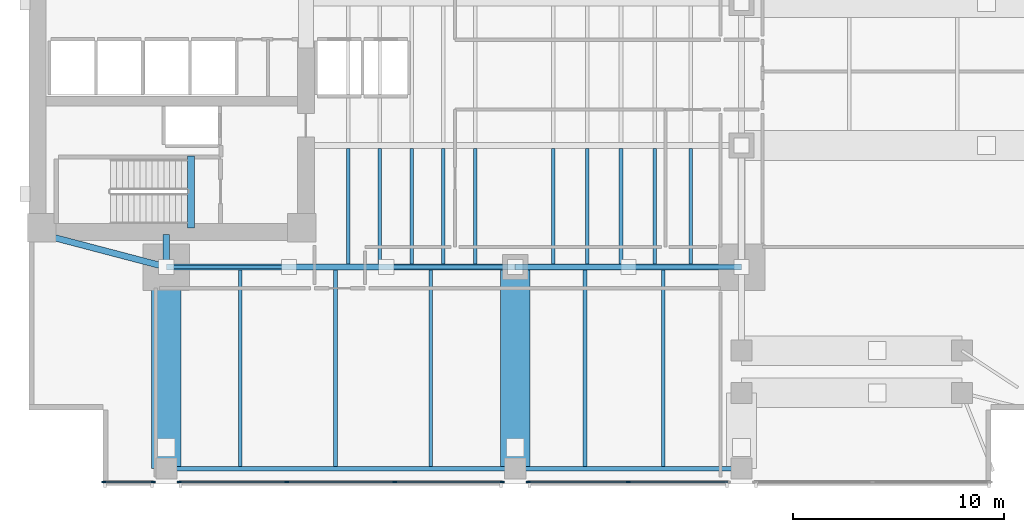
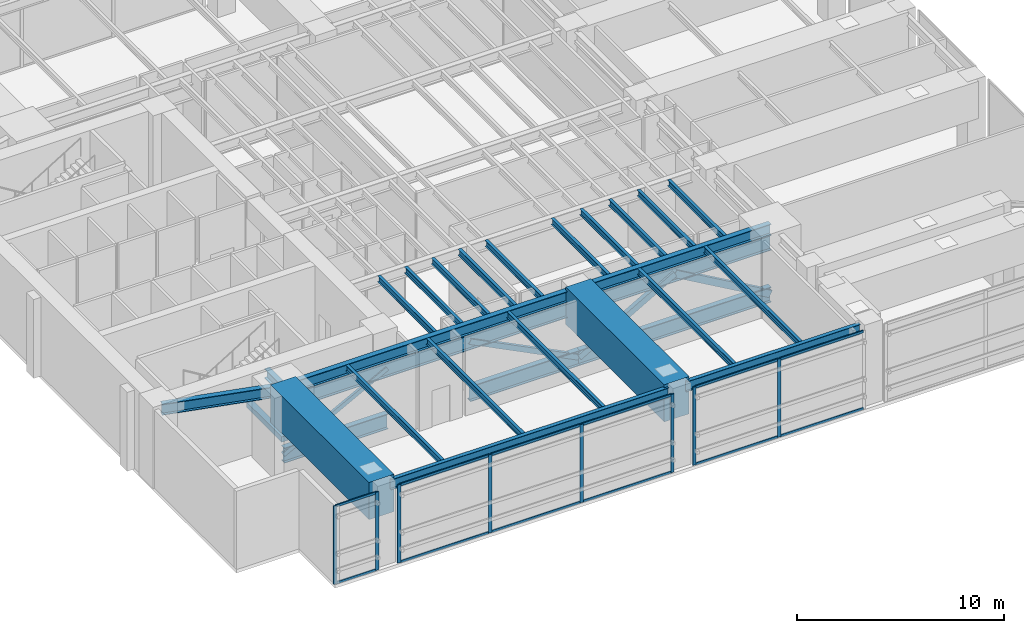
# One storey, part 2 of 14: 29 members, 24 beams, 3 elements without a shape of their own.
"""IFC4 building model written with IfcOpenShell, lengths in metres."""

from ifc_helpers import new_model, si_unit, direction, frame, origin, origin_2d, place, context, subcontext, project, spatial, rectangle, hollow_rectangle, i_section, extrude, material, layer, layer_set, material_profile, profile_set, type_object, element, aggregate, save


model = new_model("IFC4")

# Units and contexts
model_context = context("Model", 3, precision=1e-05, world=origin(), true_north=direction((0.0, 1.0)))
body_context = subcontext(model_context, "Body", "Model", "MODEL_VIEW")
ifc_project = project(units=[si_unit("LENGTHUNIT", "METRE"), si_unit("AREAUNIT", "SQUARE_METRE"), si_unit("VOLUMEUNIT", "CUBIC_METRE"), si_unit("PLANEANGLEUNIT", "RADIAN"), si_unit("MASSUNIT", "GRAM", prefix="KILO")], contexts=[model_context])

# Site, building, storey
site_placement = place(None, origin())
site = spatial("IfcSite", under=ifc_project, at=site_placement, CompositionType="ELEMENT")
building_placement = place(site_placement, origin())
building = spatial("IfcBuilding", under=site, at=building_placement, Name="Kinhvarn Gate Tower", CompositionType="ELEMENT")
storey_placement = place(building_placement, frame((0.0, 0.0, 93.050048828125)))
storey = spatial("IfcBuildingStorey", under=building, at=storey_placement, Name="L24", CompositionType="ELEMENT", Elevation=93.050048828125)

# Beams
ifc_material_1 = material(Name="Concrete C50/60", Category="concrete")
ifc_material_profile_1 = material_profile(ifc_material_1, rectangle(XDim=0.340087890625, YDim=0.320068359375, at=origin_2d()), Name="RC 340x320")
ifc_profile_set_1 = profile_set([ifc_material_profile_1], Name="Concrete C50/60")
beam_type_1 = type_object("IfcBeamType", Name="BM-LND-500", PredefinedType="BEAM", material=ifc_profile_set_1)
beam_1_placement = place(storey_placement, frame((12.1650390625, 14.60009765625, -0.16015625), z_axis=(0.0, 1.0, 0.0), x_axis=(-1.0, 0.0, 0.0)))
element("IfcBeam", 1, at=beam_1_placement, inside=storey, type_object=beam_type_1, Name="Stair ST1 Landing Nosing Beam (L24)", PredefinedType="BEAM", context=body_context, shape_type="SweptSolid", body=[
    extrude(rectangle(XDim=0.340087890625, YDim=0.320068359375, at=origin_2d()), origin(), (0.0, 0.0, 1.0), 3.39990234375),
])
ifc_material_2 = material(Name="Concrete C60/75", Category="concrete")
ifc_material_profile_2 = material_profile(ifc_material_2, rectangle(XDim=1.39990234375, YDim=2.199951171875, at=origin_2d()), Name="RC 1400x2200")
ifc_profile_set_2 = profile_set([ifc_material_profile_2], Name="Concrete C60/75")
beam_type_2 = type_object("IfcBeamType", Name="BM-TG-2200", PredefinedType="BEAM", material=ifc_profile_set_2)
for number, where, z_axis, x_axis, name in (
    (2, (11.0, 3.219970703125, 3.699951171875), (0.0, 1.0, 0.0), (-1.0, 0.0, 0.0), "Setback Transfer Girder TG-02-L25-CS-0"),
    (3, (27.5, 3.219970703125, 3.699951171875), (0.0, 1.0, 0.0), (-1.0, 0.0, 0.0), "Setback Transfer Girder TG-02-L25-CS-1"),
):
    element("IfcBeam", number, at=place(storey_placement, frame(where, z_axis=z_axis, x_axis=x_axis)), inside=storey, type_object=beam_type_2, Name=name, PredefinedType="BEAM", context=body_context, shape_type="SweptSolid", body=[
        extrude(rectangle(XDim=1.39990234375, YDim=2.199951171875, at=origin_2d()), origin(), (0.0, 0.0, 1.0), 9.530029296875),
    ])

# Curtain wall, members
ifc_material_3 = material(Name="Anodised aluminium AW-6063", Category="aluminium")
ifc_layer = layer(ifc_material_3, 0.179931640625)
ifc_layer_set = layer_set([ifc_layer], Name="Anodised aluminium AW-6063")
curtain_wall_type = type_object("IfcCurtainWallType", Name="CW-SYS-2", PredefinedType="NOTDEFINED", material=ifc_layer_set)
curtain_wall_1_placement = place(storey_placement, origin())
curtain_wall_1 = element("IfcCurtainWall", 4, at=curtain_wall_1_placement, inside=storey, type_object=curtain_wall_type, Name="Curtain Wall CW2 (L24)", PredefinedType="NOTDEFINED")
ifc_material_profile_3 = material_profile(ifc_material_3, rectangle(XDim=0.070068359375, YDim=0.179931640625, at=origin_2d()), Name="ALU 70x180")
ifc_profile_set_3 = profile_set([ifc_material_profile_3], Name="Anodised aluminium AW-6063")
member_type_1 = type_object("IfcMemberType", Name="CW-MUL-180", PredefinedType="MULLION", material=ifc_profile_set_3)
member_1_placement = place(storey_placement, frame((8.034912109375, 2.590087890625, 0.0), z_axis=(0.0, 0.0, 1.0), x_axis=(0.0, 1.0, 0.0)))
member_1 = element("IfcMember", 5, at=member_1_placement, type_object=member_type_1, Name="CW2 mullion 1", PredefinedType="MULLION", context=body_context, shape_type="SweptSolid", body=[
    extrude(rectangle(XDim=0.070068359375, YDim=0.179931640625, at=origin_2d()), origin(), (0.0, 0.0, 1.0), 4.619873046875),
])
member_2_placement = place(storey_placement, frame((10.385009765625, 2.590087890625, 0.0), z_axis=(0.0, 0.0, 1.0), x_axis=(0.0, 1.0, 0.0)))
member_2 = element("IfcMember", 6, at=member_2_placement, type_object=member_type_1, Name="CW2 mullion 2", PredefinedType="MULLION", context=body_context, shape_type="SweptSolid", body=[
    extrude(rectangle(XDim=0.070068359375, YDim=0.179931640625, at=origin_2d()), origin(), (0.0, 0.0, 1.0), 4.619873046875),
])

curtain_wall_2_placement = place(storey_placement, origin())
curtain_wall_2 = element("IfcCurtainWall", 7, at=curtain_wall_2_placement, inside=storey, type_object=curtain_wall_type, Name="Curtain Wall CW2 (L24)", PredefinedType="NOTDEFINED")
member_3_placement = place(storey_placement, frame((11.614990234375, 2.590087890625, 0.0), z_axis=(0.0, 0.0, 1.0), x_axis=(0.0, 1.0, 0.0)))
member_3 = element("IfcMember", 8, at=member_3_placement, type_object=member_type_1, Name="CW2 mullion 1", PredefinedType="MULLION", context=body_context, shape_type="SweptSolid", body=[
    extrude(rectangle(XDim=0.070068359375, YDim=0.179931640625, at=origin_2d()), origin(), (0.0, 0.0, 1.0), 4.619873046875),
])
member_4_placement = place(storey_placement, frame((16.693359375, 2.590087890625, 0.0), z_axis=(0.0, 0.0, 1.0), x_axis=(0.0, 1.0, 0.0)))
member_4 = element("IfcMember", 9, at=member_4_placement, type_object=member_type_1, Name="CW2 mullion 2", PredefinedType="MULLION", context=body_context, shape_type="SweptSolid", body=[
    extrude(rectangle(XDim=0.070068359375, YDim=0.179931640625, at=origin_2d()), origin(), (0.0, 0.0, 1.0), 4.619873046875),
])
member_5_placement = place(storey_placement, frame((21.806640625, 2.590087890625, 0.0), z_axis=(0.0, 0.0, 1.0), x_axis=(0.0, 1.0, 0.0)))
member_5 = element("IfcMember", 10, at=member_5_placement, type_object=member_type_1, Name="CW2 mullion 3", PredefinedType="MULLION", context=body_context, shape_type="SweptSolid", body=[
    extrude(rectangle(XDim=0.070068359375, YDim=0.179931640625, at=origin_2d()), origin(), (0.0, 0.0, 1.0), 4.619873046875),
])
member_6_placement = place(storey_placement, frame((26.885009765625, 2.590087890625, 0.0), z_axis=(0.0, 0.0, 1.0), x_axis=(0.0, 1.0, 0.0)))
member_6 = element("IfcMember", 11, at=member_6_placement, type_object=member_type_1, Name="CW2 mullion 4", PredefinedType="MULLION", context=body_context, shape_type="SweptSolid", body=[
    extrude(rectangle(XDim=0.070068359375, YDim=0.179931640625, at=origin_2d()), origin(), (0.0, 0.0, 1.0), 4.619873046875),
])

curtain_wall_3_placement = place(storey_placement, origin())
curtain_wall_3 = element("IfcCurtainWall", 12, at=curtain_wall_3_placement, inside=storey, type_object=curtain_wall_type, Name="Curtain Wall CW2 (L24)", PredefinedType="NOTDEFINED")
member_7_placement = place(storey_placement, frame((28.114990234375, 2.590087890625, 0.0), z_axis=(0.0, 0.0, 1.0), x_axis=(0.0, 1.0, 0.0)))
member_7 = element("IfcMember", 13, at=member_7_placement, type_object=member_type_1, Name="CW2 mullion 1", PredefinedType="MULLION", context=body_context, shape_type="SweptSolid", body=[
    extrude(rectangle(XDim=0.070068359375, YDim=0.179931640625, at=origin_2d()), origin(), (0.0, 0.0, 1.0), 4.619873046875),
])
member_8_placement = place(storey_placement, frame((32.85009765625, 2.590087890625, 0.0), z_axis=(0.0, 0.0, 1.0), x_axis=(0.0, 1.0, 0.0)))
member_8 = element("IfcMember", 14, at=member_8_placement, type_object=member_type_1, Name="CW2 mullion 2", PredefinedType="MULLION", context=body_context, shape_type="SweptSolid", body=[
    extrude(rectangle(XDim=0.070068359375, YDim=0.179931640625, at=origin_2d()), origin(), (0.0, 0.0, 1.0), 4.619873046875),
])

# Member
ifc_material_profile_4 = material_profile(ifc_material_3, rectangle(XDim=0.070068359375, YDim=0.139892578125, at=origin_2d()), Name="ALU 70x140")
ifc_profile_set_4 = profile_set([ifc_material_profile_4], Name="Anodised aluminium AW-6063")
member_type_2 = type_object("IfcMemberType", Name="CW-TRN-140", PredefinedType="USERDEFINED", material=ifc_profile_set_4)
member_9_placement = place(storey_placement, frame((8.070068359375, 2.590087890625, 0.034912109375), z_axis=(1.0, 0.0, 0.0), x_axis=(0.0, 1.0, 0.0)))
member_9 = element("IfcMember", 15, at=member_9_placement, type_object=member_type_2, Name="CW2 transom 1.1", ObjectType="TRANSOM", PredefinedType="USERDEFINED", context=body_context, shape_type="SweptSolid", body=[
    extrude(rectangle(XDim=0.070068359375, YDim=0.139892578125, at=origin_2d()), origin(), (0.0, 0.0, 1.0), 2.280029296875),
])

member_10_placement = place(storey_placement, frame((8.070068359375, 2.590087890625, 4.5849609375), z_axis=(1.0, 0.0, 0.0), x_axis=(0.0, 1.0, 0.0)))
member_10 = element("IfcMember", 16, at=member_10_placement, type_object=member_type_2, Name="CW2 transom 1.2", ObjectType="TRANSOM", PredefinedType="USERDEFINED", context=body_context, shape_type="SweptSolid", body=[
    extrude(rectangle(XDim=0.070068359375, YDim=0.139892578125, at=origin_2d()), origin(), (0.0, 0.0, 1.0), 2.280029296875),
])

aggregate(curtain_wall_1, [member_1, member_2, member_9, member_10])

member_11_placement = place(storey_placement, frame((11.64990234375, 2.590087890625, 0.034912109375), z_axis=(1.0, 0.0, 0.0), x_axis=(0.0, 1.0, 0.0)))
member_11 = element("IfcMember", 17, at=member_11_placement, type_object=member_type_2, Name="CW2 transom 1.1", ObjectType="TRANSOM", PredefinedType="USERDEFINED", context=body_context, shape_type="SweptSolid", body=[
    extrude(rectangle(XDim=0.070068359375, YDim=0.139892578125, at=origin_2d()), origin(), (0.0, 0.0, 1.0), 5.008544921875),
])

member_12_placement = place(storey_placement, frame((11.64990234375, 2.590087890625, 4.5849609375), z_axis=(1.0, 0.0, 0.0), x_axis=(0.0, 1.0, 0.0)))
member_12 = element("IfcMember", 18, at=member_12_placement, type_object=member_type_2, Name="CW2 transom 1.2", ObjectType="TRANSOM", PredefinedType="USERDEFINED", context=body_context, shape_type="SweptSolid", body=[
    extrude(rectangle(XDim=0.070068359375, YDim=0.139892578125, at=origin_2d()), origin(), (0.0, 0.0, 1.0), 5.008544921875),
])

member_13_placement = place(storey_placement, frame((16.728271484375, 2.590087890625, 0.034912109375), z_axis=(1.0, 0.0, 0.0), x_axis=(0.0, 1.0, 0.0)))
member_13 = element("IfcMember", 19, at=member_13_placement, type_object=member_type_2, Name="CW2 transom 2.1", ObjectType="TRANSOM", PredefinedType="USERDEFINED", context=body_context, shape_type="SweptSolid", body=[
    extrude(rectangle(XDim=0.070068359375, YDim=0.139892578125, at=origin_2d()), origin(), (0.0, 0.0, 1.0), 5.04345703125),
])

member_14_placement = place(storey_placement, frame((16.728271484375, 2.590087890625, 4.5849609375), z_axis=(1.0, 0.0, 0.0), x_axis=(0.0, 1.0, 0.0)))
member_14 = element("IfcMember", 20, at=member_14_placement, type_object=member_type_2, Name="CW2 transom 2.2", ObjectType="TRANSOM", PredefinedType="USERDEFINED", context=body_context, shape_type="SweptSolid", body=[
    extrude(rectangle(XDim=0.070068359375, YDim=0.139892578125, at=origin_2d()), origin(), (0.0, 0.0, 1.0), 5.04345703125),
])

member_15_placement = place(storey_placement, frame((21.841552734375, 2.590087890625, 0.034912109375), z_axis=(1.0, 0.0, 0.0), x_axis=(0.0, 1.0, 0.0)))
member_15 = element("IfcMember", 21, at=member_15_placement, type_object=member_type_2, Name="CW2 transom 3.1", ObjectType="TRANSOM", PredefinedType="USERDEFINED", context=body_context, shape_type="SweptSolid", body=[
    extrude(rectangle(XDim=0.070068359375, YDim=0.139892578125, at=origin_2d()), origin(), (0.0, 0.0, 1.0), 5.008544921875),
])

member_16_placement = place(storey_placement, frame((21.841552734375, 2.590087890625, 4.5849609375), z_axis=(1.0, 0.0, 0.0), x_axis=(0.0, 1.0, 0.0)))
member_16 = element("IfcMember", 22, at=member_16_placement, type_object=member_type_2, Name="CW2 transom 3.2", ObjectType="TRANSOM", PredefinedType="USERDEFINED", context=body_context, shape_type="SweptSolid", body=[
    extrude(rectangle(XDim=0.070068359375, YDim=0.139892578125, at=origin_2d()), origin(), (0.0, 0.0, 1.0), 5.008544921875),
])

aggregate(curtain_wall_2, [member_3, member_4, member_5, member_6, member_11, member_12, member_13, member_14, member_15, member_16])

member_17_placement = place(storey_placement, frame((28.14990234375, 2.590087890625, 0.034912109375), z_axis=(1.0, 0.0, 0.0), x_axis=(0.0, 1.0, 0.0)))
member_17 = element("IfcMember", 23, at=member_17_placement, type_object=member_type_2, Name="CW2 transom 1.1", ObjectType="TRANSOM", PredefinedType="USERDEFINED", context=body_context, shape_type="SweptSolid", body=[
    extrude(rectangle(XDim=0.070068359375, YDim=0.139892578125, at=origin_2d()), origin(), (0.0, 0.0, 1.0), 4.6650390625),
])

member_18_placement = place(storey_placement, frame((28.14990234375, 2.590087890625, 4.5849609375), z_axis=(1.0, 0.0, 0.0), x_axis=(0.0, 1.0, 0.0)))
member_18 = element("IfcMember", 24, at=member_18_placement, type_object=member_type_2, Name="CW2 transom 1.2", ObjectType="TRANSOM", PredefinedType="USERDEFINED", context=body_context, shape_type="SweptSolid", body=[
    extrude(rectangle(XDim=0.070068359375, YDim=0.139892578125, at=origin_2d()), origin(), (0.0, 0.0, 1.0), 4.6650390625),
])

member_19_placement = place(storey_placement, frame((32.885009765625, 2.590087890625, 0.034912109375), z_axis=(1.0, 0.0, 0.0), x_axis=(0.0, 1.0, 0.0)))
member_19 = element("IfcMember", 25, at=member_19_placement, type_object=member_type_2, Name="CW2 transom 2.1", ObjectType="TRANSOM", PredefinedType="USERDEFINED", context=body_context, shape_type="SweptSolid", body=[
    extrude(rectangle(XDim=0.070068359375, YDim=0.139892578125, at=origin_2d()), origin(), (0.0, 0.0, 1.0), 4.6650390625),
])

member_20_placement = place(storey_placement, frame((32.885009765625, 2.590087890625, 4.5849609375), z_axis=(1.0, 0.0, 0.0), x_axis=(0.0, 1.0, 0.0)))
member_20 = element("IfcMember", 26, at=member_20_placement, type_object=member_type_2, Name="CW2 transom 2.2", ObjectType="TRANSOM", PredefinedType="USERDEFINED", context=body_context, shape_type="SweptSolid", body=[
    extrude(rectangle(XDim=0.070068359375, YDim=0.139892578125, at=origin_2d()), origin(), (0.0, 0.0, 1.0), 4.6650390625),
])

aggregate(curtain_wall_3, [member_7, member_8, member_17, member_18, member_19, member_20])

# Members
ifc_material_4 = material(Name="Steel S355", Category="steel")
ifc_material_profile_5 = material_profile(ifc_material_4, hollow_rectangle(XDim=0.14990234375, YDim=0.25, WallThickness=0.011962890625, at=origin_2d()), Name="RHS 250x150x12")
ifc_profile_set_5 = profile_set([ifc_material_profile_5], Name="Steel S355")
member_type_3 = type_object("IfcMemberType", Name="MBR-RHS250x150x12", PredefinedType="BRACE", material=ifc_profile_set_5)
member_21_placement = place(storey_placement, frame((11.0, 12.75, 0.449951171875), z_axis=(0.883822301233, 0.0, 0.467822765417), x_axis=(0.0, 1.0, 0.0)))
element("IfcMember", 27, at=member_21_placement, inside=storey, type_object=member_type_3, Name="Outrigger Truss Diagonal BR-01 (RHS 250x150x12)", PredefinedType="BRACE", context=body_context, shape_type="SweptSolid", body=[
    extrude(hollow_rectangle(XDim=0.14990234375, YDim=0.25, WallThickness=0.011962890625, at=origin_2d()), origin(), (0.0, 0.0, 1.0), 6.5625),
])
ifc_material_profile_6 = material_profile(ifc_material_4, hollow_rectangle(XDim=0.199951171875, YDim=0.300048828125, WallThickness=0.011962890625, at=origin_2d()), Name="RHS 300x200x12")
ifc_profile_set_6 = profile_set([ifc_material_profile_6], Name="Steel S355")
member_type_4 = type_object("IfcMemberType", Name="MBR-RHS300x200x12", PredefinedType="BRACE", material=ifc_profile_set_6)
member_22_placement = place(storey_placement, frame((21.39990234375, 12.75, 3.52001953125), z_axis=(0.893251513764, 0.0, -0.449557263491), x_axis=(0.0, 1.0, 0.0)))
element("IfcMember", 28, at=member_22_placement, inside=storey, type_object=member_type_4, Name="Outrigger Truss Diagonal BR-02 (RHS 300x200x12)", PredefinedType="BRACE", context=body_context, shape_type="SweptSolid", body=[
    extrude(hollow_rectangle(XDim=0.199951171875, YDim=0.300048828125, WallThickness=0.011962890625, at=origin_2d()), origin(), (0.0, 0.0, 1.0), 6.8291015625),
])
ifc_material_profile_7 = material_profile(ifc_material_4, hollow_rectangle(XDim=0.25, YDim=0.35009765625, WallThickness=0.01611328125, at=origin_2d()), Name="RHS 350x250x16")
ifc_profile_set_7 = profile_set([ifc_material_profile_7], Name="Steel S355")
member_type_5 = type_object("IfcMemberType", Name="MBR-RHS350x250x16", PredefinedType="BRACE", material=ifc_profile_set_7)
member_23_placement = place(storey_placement, frame((27.5, 12.75, 0.449951171875), z_axis=(0.86734296071, 0.0, 0.497710948751), x_axis=(0.0, 1.0, 0.0)))
element("IfcMember", 29, at=member_23_placement, inside=storey, type_object=member_type_5, Name="Outrigger Truss Diagonal BR-03 (RHS 350x250x16)", PredefinedType="BRACE", context=body_context, shape_type="SweptSolid", body=[
    extrude(hollow_rectangle(XDim=0.25, YDim=0.35009765625, WallThickness=0.01611328125, at=origin_2d()), origin(), (0.0, 0.0, 1.0), 6.16845703125),
])
ifc_material_profile_8 = material_profile(ifc_material_4, hollow_rectangle(XDim=0.199951171875, YDim=0.39990234375, WallThickness=0.01611328125, at=origin_2d()), Name="RHS 400x200x16")
ifc_profile_set_8 = profile_set([ifc_material_profile_8], Name="Steel S355")
member_type_6 = type_object("IfcMemberType", Name="MBR-RHS400x200x16", PredefinedType="BRACE", material=ifc_profile_set_8)
member_24_placement = place(storey_placement, frame((32.85009765625, 12.75, 3.52001953125), z_axis=(0.867333155747, 0.0, -0.497728035117), x_axis=(0.0, 1.0, 0.0)))
element("IfcMember", 30, at=member_24_placement, inside=storey, type_object=member_type_6, Name="Outrigger Truss Diagonal BR-04 (RHS 400x200x16)", PredefinedType="BRACE", context=body_context, shape_type="SweptSolid", body=[
    extrude(hollow_rectangle(XDim=0.199951171875, YDim=0.39990234375, WallThickness=0.01611328125, at=origin_2d()), origin(), (0.0, 0.0, 1.0), 6.168212890625),
])

# Beams
ifc_material_profile_9 = material_profile(ifc_material_4, i_section(OverallWidth=0.300048828125, OverallDepth=0.550048828125, WebThickness=0.014892578125, FlangeThickness=0.029052734375, at=origin_2d()), Name="HEB 550")
ifc_profile_set_9 = profile_set([ifc_material_profile_9], Name="Steel S355")
beam_type_3 = type_object("IfcBeamType", Name="STL-HEB550", PredefinedType="BEAM", material=ifc_profile_set_9)
beam_2_placement = place(storey_placement, frame((11.0, 12.75, 4.344970703125), z_axis=(0.0, 1.0, 0.0), x_axis=(-1.0, 0.0, 0.0)))
element("IfcBeam", 31, at=beam_2_placement, inside=storey, type_object=beam_type_3, Name="Floor Beam PG-15 (L24 MCW-CS)", PredefinedType="BEAM", context=body_context, shape_type="SweptSolid", body=[
    extrude(i_section(OverallWidth=0.300048828125, OverallDepth=0.550048828125, WebThickness=0.014892578125, FlangeThickness=0.029052734375, at=origin_2d()), origin(), (0.0, 0.0, 1.0), 1.550048828125),
])
ifc_material_profile_10 = material_profile(ifc_material_4, i_section(OverallWidth=0.300048828125, OverallDepth=0.64990234375, WebThickness=0.01611328125, FlangeThickness=0.031005859375, at=origin_2d()), Name="HEB 650")
ifc_profile_set_10 = profile_set([ifc_material_profile_10], Name="Steel S355")
beam_type_4 = type_object("IfcBeamType", Name="STL-HEB650", PredefinedType="BEAM", material=ifc_profile_set_10)
beam_3_placement = place(storey_placement, frame((11.0, 12.75, 4.294921875), z_axis=(1.0, 0.0, 0.0), x_axis=(0.0, 1.0, 0.0)))
element("IfcBeam", 32, at=beam_3_placement, inside=storey, type_object=beam_type_4, Name="Floor Beam PG-17 (L24 MG-S1)", PredefinedType="BEAM", context=body_context, shape_type="SweptSolid", body=[
    extrude(i_section(OverallWidth=0.300048828125, OverallDepth=0.64990234375, WebThickness=0.01611328125, FlangeThickness=0.031005859375, at=origin_2d()), origin(), (0.0, 0.0, 1.0), 16.5),
])
beam_4_placement = place(storey_placement, frame((27.5, 12.75, 4.294921875), z_axis=(1.0, 0.0, 0.0), x_axis=(0.0, 1.0, 0.0)))
element("IfcBeam", 33, at=beam_4_placement, inside=storey, type_object=beam_type_4, Name="Floor Beam PG-17 (L24 MG-S2)", PredefinedType="BEAM", context=body_context, shape_type="SweptSolid", body=[
    extrude(i_section(OverallWidth=0.300048828125, OverallDepth=0.64990234375, WebThickness=0.01611328125, FlangeThickness=0.031005859375, at=origin_2d()), origin(), (0.0, 0.0, 1.0), 10.699951171875),
])
beam_5_placement = place(storey_placement, frame((5.10009765625, 14.300048828125, 4.294921875), z_axis=(0.967177623957, -0.254101246979, 0.0), x_axis=(0.254101246979, 0.967177623957, 0.0)))
element("IfcBeam", 34, at=beam_5_placement, inside=storey, type_object=beam_type_4, Name="Floor Beam PG-17 (L24 MG-SW-DIAG)", PredefinedType="BEAM", context=body_context, shape_type="SweptSolid", body=[
    extrude(i_section(OverallWidth=0.300048828125, OverallDepth=0.64990234375, WebThickness=0.01611328125, FlangeThickness=0.031005859375, at=origin_2d()), origin(), (0.0, 0.0, 1.0), 6.10009765625),
])

# Members
ifc_material_profile_11 = material_profile(ifc_material_4, i_section(OverallWidth=0.300048828125, OverallDepth=0.89990234375, WebThickness=0.0185546875, FlangeThickness=0.034912109375, at=origin_2d()), Name="HEB 900")
ifc_profile_set_11 = profile_set([ifc_material_profile_11], Name="Steel S355")
member_type_7 = type_object("IfcMemberType", Name="STL-HEB900", PredefinedType="CHORD", material=ifc_profile_set_11)
member_25_placement = place(storey_placement, frame((11.0, 12.75, 0.449951171875), z_axis=(1.0, 0.0, 0.0), x_axis=(0.0, 1.0, 0.0)))
element("IfcMember", 35, at=member_25_placement, inside=storey, type_object=member_type_7, Name="Outrigger Belt Chord BC-20 (L24 OUT-S1A-BOT)", PredefinedType="CHORD", context=body_context, shape_type="SweptSolid", body=[
    extrude(i_section(OverallWidth=0.300048828125, OverallDepth=0.89990234375, WebThickness=0.0185546875, FlangeThickness=0.034912109375, at=origin_2d()), origin(), (0.0, 0.0, 1.0), 5.800048828125),
])
member_26_placement = place(storey_placement, frame((21.39990234375, 12.75, 0.449951171875), z_axis=(1.0, 0.0, 0.0), x_axis=(0.0, 1.0, 0.0)))
element("IfcMember", 36, at=member_26_placement, inside=storey, type_object=member_type_7, Name="Outrigger Belt Chord BC-20 (L24 OUT-S1B-BOT)", PredefinedType="CHORD", context=body_context, shape_type="SweptSolid", body=[
    extrude(i_section(OverallWidth=0.300048828125, OverallDepth=0.89990234375, WebThickness=0.0185546875, FlangeThickness=0.034912109375, at=origin_2d()), origin(), (0.0, 0.0, 1.0), 6.10009765625),
])
member_27_placement = place(storey_placement, frame((27.5, 12.75, 0.449951171875), z_axis=(1.0, 0.0, 0.0), x_axis=(0.0, 1.0, 0.0)))
element("IfcMember", 37, at=member_27_placement, inside=storey, type_object=member_type_7, Name="Outrigger Belt Chord BC-20 (L24 OUT-S2-BOT)", PredefinedType="CHORD", context=body_context, shape_type="SweptSolid", body=[
    extrude(i_section(OverallWidth=0.300048828125, OverallDepth=0.89990234375, WebThickness=0.0185546875, FlangeThickness=0.034912109375, at=origin_2d()), origin(), (0.0, 0.0, 1.0), 10.699951171875),
])
member_28_placement = place(storey_placement, frame((11.0, 12.75, 3.52001953125), z_axis=(1.0, 0.0, 0.0), x_axis=(0.0, 1.0, 0.0)))
element("IfcMember", 38, at=member_28_placement, inside=storey, type_object=member_type_7, Name="Outrigger Belt Chord BC-20 (L24 OUT-S1-TOP)", PredefinedType="CHORD", context=body_context, shape_type="SweptSolid", body=[
    extrude(i_section(OverallWidth=0.300048828125, OverallDepth=0.89990234375, WebThickness=0.0185546875, FlangeThickness=0.034912109375, at=origin_2d()), origin(), (0.0, 0.0, 1.0), 16.5),
])
member_29_placement = place(storey_placement, frame((27.5, 12.75, 3.52001953125), z_axis=(1.0, 0.0, 0.0), x_axis=(0.0, 1.0, 0.0)))
element("IfcMember", 39, at=member_29_placement, inside=storey, type_object=member_type_7, Name="Outrigger Belt Chord BC-20 (L24 OUT-S2-TOP)", PredefinedType="CHORD", context=body_context, shape_type="SweptSolid", body=[
    extrude(i_section(OverallWidth=0.300048828125, OverallDepth=0.89990234375, WebThickness=0.0185546875, FlangeThickness=0.034912109375, at=origin_2d()), origin(), (0.0, 0.0, 1.0), 10.699951171875),
])

# Beams
ifc_material_profile_12 = material_profile(ifc_material_4, i_section(OverallWidth=0.169921875, OverallDepth=0.360107421875, WebThickness=0.008056640625, FlangeThickness=0.0126953125, at=origin_2d()), Name="IPE 360")
ifc_profile_set_12 = profile_set([ifc_material_profile_12], Name="Steel S355")
beam_type_5 = type_object("IfcBeamType", Name="STL-IPE360", PredefinedType="JOIST", material=ifc_profile_set_12)
for number, where, z_axis, x_axis, name in (
    (40, (19.60009765625, 12.89990234375, 4.43994140625), (0.0, 1.0, 0.0), (-1.0, 0.0, 0.0), "Floor Joist SB-04 (L24 JC-X196-0)"),
    (41, (21.10009765625, 12.89990234375, 4.43994140625), (0.0, 1.0, 0.0), (-1.0, 0.0, 0.0), "Floor Joist SB-04 (L24 JC-X211-0)"),
    (42, (22.60009765625, 12.89990234375, 4.43994140625), (0.0, 1.0, 0.0), (-1.0, 0.0, 0.0), "Floor Joist SB-04 (L24 JC-X226-0)"),
    (43, (24.10009765625, 12.89990234375, 4.43994140625), (0.0, 1.0, 0.0), (-1.0, 0.0, 0.0), "Floor Joist SB-04 (L24 JC-X241-0)"),
    (44, (25.60009765625, 12.89990234375, 4.43994140625), (0.0, 1.0, 0.0), (-1.0, 0.0, 0.0), "Floor Joist SB-04 (L24 JC-X256-0)"),
    (45, (29.300048828125, 12.89990234375, 4.43994140625), (0.0, 1.0, 0.0), (-1.0, 0.0, 0.0), "Floor Joist SB-04 (L24 JC-X293-0)"),
    (46, (30.89990234375, 12.89990234375, 4.43994140625), (0.0, 1.0, 0.0), (-1.0, 0.0, 0.0), "Floor Joist SB-04 (L24 JC-X309-0)"),
    (47, (32.5, 12.89990234375, 4.43994140625), (0.0, 1.0, 0.0), (-1.0, 0.0, 0.0), "Floor Joist SB-04 (L24 JC-X325-0)"),
    (48, (34.10009765625, 12.89990234375, 4.43994140625), (0.0, 1.0, 0.0), (-1.0, 0.0, 0.0), "Floor Joist SB-04 (L24 JC-X341-0)"),
    (49, (35.800048828125, 12.89990234375, 4.43994140625), (0.0, 1.0, 0.0), (-1.0, 0.0, 0.0), "Floor Joist SB-04 (L24 JC-X358-0)"),
):
    element("IfcBeam", number, at=place(storey_placement, frame(where, z_axis=z_axis, x_axis=x_axis)), inside=storey, type_object=beam_type_5, Name=name, PredefinedType="JOIST", context=body_context, shape_type="SweptSolid", body=[
        extrude(i_section(OverallWidth=0.169921875, OverallDepth=0.360107421875, WebThickness=0.008056640625, FlangeThickness=0.0126953125, at=origin_2d()), origin(), (0.0, 0.0, 1.0), 5.4501953125),
    ])
for number, where, z_axis, x_axis, name in (
    (50, (14.5, 3.330078125, 4.43994140625), (0.0, 1.0, 0.0), (-1.0, 0.0, 0.0), "Floor Joist SB-04 (L24 JS-X145)"),
    (51, (19.0, 3.330078125, 4.43994140625), (0.0, 1.0, 0.0), (-1.0, 0.0, 0.0), "Floor Joist SB-04 (L24 JS-X190)"),
    (52, (23.5, 3.330078125, 4.43994140625), (0.0, 1.0, 0.0), (-1.0, 0.0, 0.0), "Floor Joist SB-04 (L24 JS-X235)"),
    (53, (30.800048828125, 3.330078125, 4.43994140625), (0.0, 1.0, 0.0), (-1.0, 0.0, 0.0), "Floor Joist SB-04 (L24 JS-X308)"),
    (54, (34.5, 3.330078125, 4.43994140625), (0.0, 1.0, 0.0), (-1.0, 0.0, 0.0), "Floor Joist SB-04 (L24 JS-X345)"),
):
    element("IfcBeam", number, at=place(storey_placement, frame(where, z_axis=z_axis, x_axis=x_axis)), inside=storey, type_object=beam_type_5, Name=name, PredefinedType="JOIST", context=body_context, shape_type="SweptSolid", body=[
        extrude(i_section(OverallWidth=0.169921875, OverallDepth=0.360107421875, WebThickness=0.008056640625, FlangeThickness=0.0126953125, at=origin_2d()), origin(), (0.0, 0.0, 1.0), 9.27001953125),
    ])
ifc_material_profile_13 = material_profile(ifc_material_4, i_section(OverallWidth=0.219970703125, OverallDepth=0.60009765625, WebThickness=0.011962890625, FlangeThickness=0.01904296875, at=origin_2d()), Name="IPE 600")
ifc_profile_set_13 = profile_set([ifc_material_profile_13], Name="Steel S355")
beam_type_6 = type_object("IfcBeamType", Name="STL-IPE600", PredefinedType="SPANDREL", material=ifc_profile_set_13)
beam_6_placement = place(storey_placement, frame((11.485107421875, 3.219970703125, 4.320068359375), z_axis=(1.0, 0.0, 0.0), x_axis=(0.0, 1.0, 0.0)))
element("IfcBeam", 55, at=beam_6_placement, inside=storey, type_object=beam_type_6, Name="Floor Spandrel SB-09 (L24 SP-S1)", PredefinedType="SPANDREL", context=body_context, shape_type="SweptSolid", body=[
    extrude(i_section(OverallWidth=0.219970703125, OverallDepth=0.60009765625, WebThickness=0.011962890625, FlangeThickness=0.01904296875, at=origin_2d()), origin(), (0.0, 0.0, 1.0), 15.52978515625),
])
beam_7_placement = place(storey_placement, frame((27.985107421875, 3.219970703125, 4.320068359375), z_axis=(1.0, 0.0, 0.0), x_axis=(0.0, 1.0, 0.0)))
element("IfcBeam", 56, at=beam_7_placement, inside=storey, type_object=beam_type_6, Name="Floor Spandrel SB-09 (L24 SP-S2)", PredefinedType="SPANDREL", context=body_context, shape_type="SweptSolid", body=[
    extrude(i_section(OverallWidth=0.219970703125, OverallDepth=0.60009765625, WebThickness=0.011962890625, FlangeThickness=0.01904296875, at=origin_2d()), origin(), (0.0, 0.0, 1.0), 9.72998046875),
])

save(model, "model.ifc")
